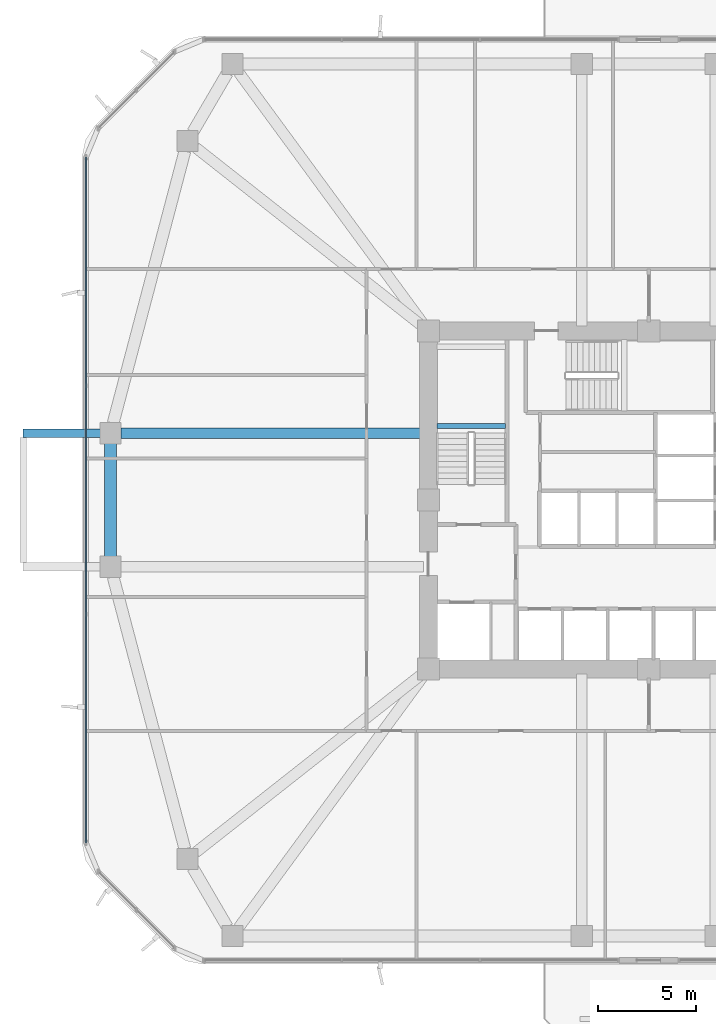
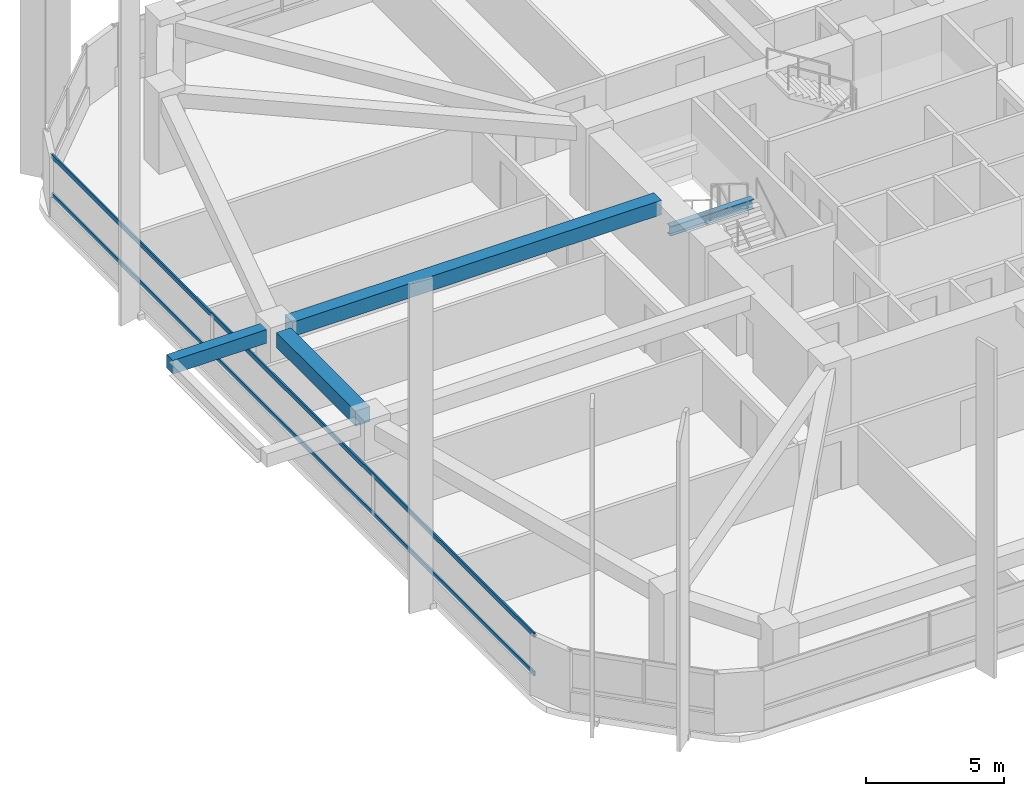
# One storey, part 3 of 17: 4 beams, 2 members, 1 element without a shape of its own.
"""IFC4 building model written with IfcOpenShell, lengths in metres."""

from ifc_helpers import new_model, si_unit, derived_unit, direction, frame, origin, origin_2d, place, context, subcontext, project, spatial, rectangle, i_section, extrude, material, material_profile, profile_set, type_object, element, aggregate, save


model = new_model("IFC4")

# Units and contexts
model_context = context("Model", 3, precision=1e-05, world=origin(), true_north=direction((0.0, 1.0)))
body_context = subcontext(model_context, "Body", "Model", "MODEL_VIEW")
ifc_project = project(units=[si_unit("LENGTHUNIT", "METRE"), si_unit("AREAUNIT", "SQUARE_METRE"), si_unit("VOLUMEUNIT", "CUBIC_METRE"), si_unit("PLANEANGLEUNIT", "RADIAN"), si_unit("MASSUNIT", "GRAM", prefix="KILO"), derived_unit("THERMALTRANSMITTANCEUNIT", [(si_unit("POWERUNIT", "WATT"), 1), (si_unit("LENGTHUNIT", "METRE"), -2), (si_unit("THERMODYNAMICTEMPERATUREUNIT", "KELVIN"), -1)])], contexts=[model_context])

# Site, building, storey
site_placement = place(None, origin())
site = spatial("IfcSite", under=ifc_project, at=site_placement, CompositionType="ELEMENT")
building_placement = place(site_placement, origin())
building = spatial("IfcBuilding", under=site, at=building_placement, Name="Koralith Skygarden Medical Center", CompositionType="ELEMENT")
storey_placement = place(building_placement, frame((0.0, 0.0, 38.340087890625)))
storey = spatial("IfcBuildingStorey", under=building, at=storey_placement, Name="L09", CompositionType="ELEMENT", Elevation=38.340087890625)

# Curtain wall, members
ifc_material_1 = material(Name="Clear Laminated Glass", Category="glass")
curtain_wall_type = type_object("IfcCurtainWallType", Name="CW-2 Zone 1 Hurricane Unitised Curtain Wall", PredefinedType="NOTDEFINED", material=ifc_material_1)
curtain_wall_placement = place(storey_placement, origin())
curtain_wall = element("IfcCurtainWall", 1, at=curtain_wall_placement, inside=storey, type_object=curtain_wall_type, Name="Curtain Wall CW-L09-W", PredefinedType="NOTDEFINED")
ifc_material_2 = material(Name="Aluminium 6063-T6", Category="aluminium")
ifc_material_profile_1 = material_profile(ifc_material_2, rectangle(XDim=0.06591796875, YDim=0.197998046875, at=origin_2d()), Name="TRN66X198")
ifc_profile_set_1 = profile_set([ifc_material_profile_1], Name="Aluminium 6063-T6")
member_type = type_object("IfcMemberType", Name="CW-2 Thermal Transom 66x198", PredefinedType="USERDEFINED", material=ifc_profile_set_1)
member_1_placement = place(storey_placement, frame((8.3798828125, 43.344970703125, 0.89990234375), z_axis=(0.0, -1.0, 0.0), x_axis=(1.0, 0.0, 0.0)))
member_1 = element("IfcMember", 2, at=member_1_placement, type_object=member_type, Name="CW-L09-W Transom 1", ObjectType="TRANSOM", PredefinedType="USERDEFINED", context=body_context, shape_type="SweptSolid", body=[
    extrude(rectangle(XDim=0.06591796875, YDim=0.197998046875, at=origin_2d()), origin(), (0.0, 0.0, 1.0), 34.889892578125),
])
member_2_placement = place(storey_placement, frame((8.3798828125, 43.344970703125, 2.599853515625), z_axis=(0.0, -1.0, 0.0), x_axis=(1.0, 0.0, 0.0)))
member_2 = element("IfcMember", 3, at=member_2_placement, type_object=member_type, Name="CW-L09-W Transom 2", ObjectType="TRANSOM", PredefinedType="USERDEFINED", context=body_context, shape_type="SweptSolid", body=[
    extrude(rectangle(XDim=0.06591796875, YDim=0.197998046875, at=origin_2d()), origin(), (0.0, 0.0, 1.0), 34.889892578125),
])
aggregate(curtain_wall, [member_1, member_2])

# Beams
ifc_material_3 = material(Name="Steel ASTM A992 Grade 50", Category="steel")
ifc_material_profile_2 = material_profile(ifc_material_3, i_section(OverallWidth=0.260009765625, OverallDepth=0.4150390625, WebThickness=0.010009765625, FlangeThickness=0.016845703125, at=origin_2d()), Name="W16X67")
ifc_profile_set_2 = profile_set([ifc_material_profile_2], Name="Steel ASTM A992 Grade 50")
beam_type_1 = type_object("IfcBeamType", Name="Clinical Floor Joist W16X67", PredefinedType="JOIST", material=ifc_profile_set_2)
beam_1_placement = place(storey_placement, frame((26.22998046875, 29.659912109375, 1.391845703125), z_axis=(1.0, 0.0, 0.0), x_axis=(0.0, 1.0, 0.0)))
element("IfcBeam", 4, at=beam_1_placement, inside=storey, type_object=beam_type_1, Name="L09 Stair ST1 Half-Landing Support Beam 1A", PredefinedType="JOIST", context=body_context, shape_type="SweptSolid", body=[
    extrude(i_section(OverallWidth=0.260009765625, OverallDepth=0.4150390625, WebThickness=0.010009765625, FlangeThickness=0.016845703125, at=origin_2d()), origin(), (0.0, 0.0, 1.0), 3.489990234375),
])
ifc_material_4 = material(Name="Concrete C45/55", Category="concrete")
ifc_material_profile_3 = material_profile(ifc_material_4, rectangle(XDim=0.449951171875, YDim=0.60009765625, at=origin_2d()), Name="RCB450X600")
ifc_profile_set_3 = profile_set([ifc_material_profile_3], Name="Concrete C45/55")
beam_type_2 = type_object("IfcBeamType", Name="Planted Balcony Cantilever Beam RCB450X600", PredefinedType="BEAM", material=ifc_profile_set_3)
beam_2_placement = place(storey_placement, frame((9.10009765625, 29.300048828125, 3.039794921875), z_axis=(-1.0, 0.0, 0.0), x_axis=(0.0, -1.0, 0.0)))
element("IfcBeam", 5, at=beam_2_placement, inside=storey, type_object=beam_type_2, Name="L10 W Balcony Cantilever Beam B", PredefinedType="BEAM", context=body_context, shape_type="SweptSolid", body=[
    extrude(rectangle(XDim=0.449951171875, YDim=0.60009765625, at=origin_2d()), origin(), (0.0, 0.0, 1.0), 3.920166015625),
])
ifc_material_profile_4 = material_profile(ifc_material_4, rectangle(XDim=0.550048828125, YDim=0.639892578125, at=origin_2d()), Name="RCB550X640")
ifc_profile_set_4 = profile_set([ifc_material_profile_4], Name="Concrete C45/55")
beam_type_3 = type_object("IfcBeamType", Name="Radial Collector Beam RCB550X640", PredefinedType="BEAM", material=ifc_profile_set_4)
beam_3_placement = place(storey_placement, frame((25.550048828125, 29.300048828125, 3.0), z_axis=(-1.0, 0.0, 0.0), x_axis=(0.0, -1.0, 0.0)))
element("IfcBeam", 6, at=beam_3_placement, inside=storey, type_object=beam_type_3, Name="L09 Radial Collector Beam RB-16", PredefinedType="BEAM", context=body_context, shape_type="SweptSolid", body=[
    extrude(rectangle(XDim=0.550048828125, YDim=0.639892578125, at=origin_2d()), origin(), (0.0, 0.0, 1.0), 15.400146484375),
])
ifc_material_profile_5 = material_profile(ifc_material_4, rectangle(XDim=0.60009765625, YDim=0.659912109375, at=origin_2d()), Name="RCB600X660")
ifc_profile_set_5 = profile_set([ifc_material_profile_5], Name="Concrete C45/55")
beam_type_4 = type_object("IfcBeamType", Name="Zone 1 Spandrel Beam RCB600X660", PredefinedType="SPANDREL", material=ifc_profile_set_5)
beam_4_placement = place(storey_placement, frame((9.6201171875, 28.77001953125, 2.989990234375), z_axis=(0.0, -1.0, 0.0), x_axis=(1.0, 0.0, 0.0)))
element("IfcBeam", 7, at=beam_4_placement, inside=storey, type_object=beam_type_4, Name="L09 Perimeter Spandrel Beam SP-16", PredefinedType="SPANDREL", context=body_context, shape_type="SweptSolid", body=[
    extrude(rectangle(XDim=0.60009765625, YDim=0.659912109375, at=origin_2d()), origin(), (0.0, 0.0, 1.0), 5.739990234375),
])

save(model, "model.ifc")
